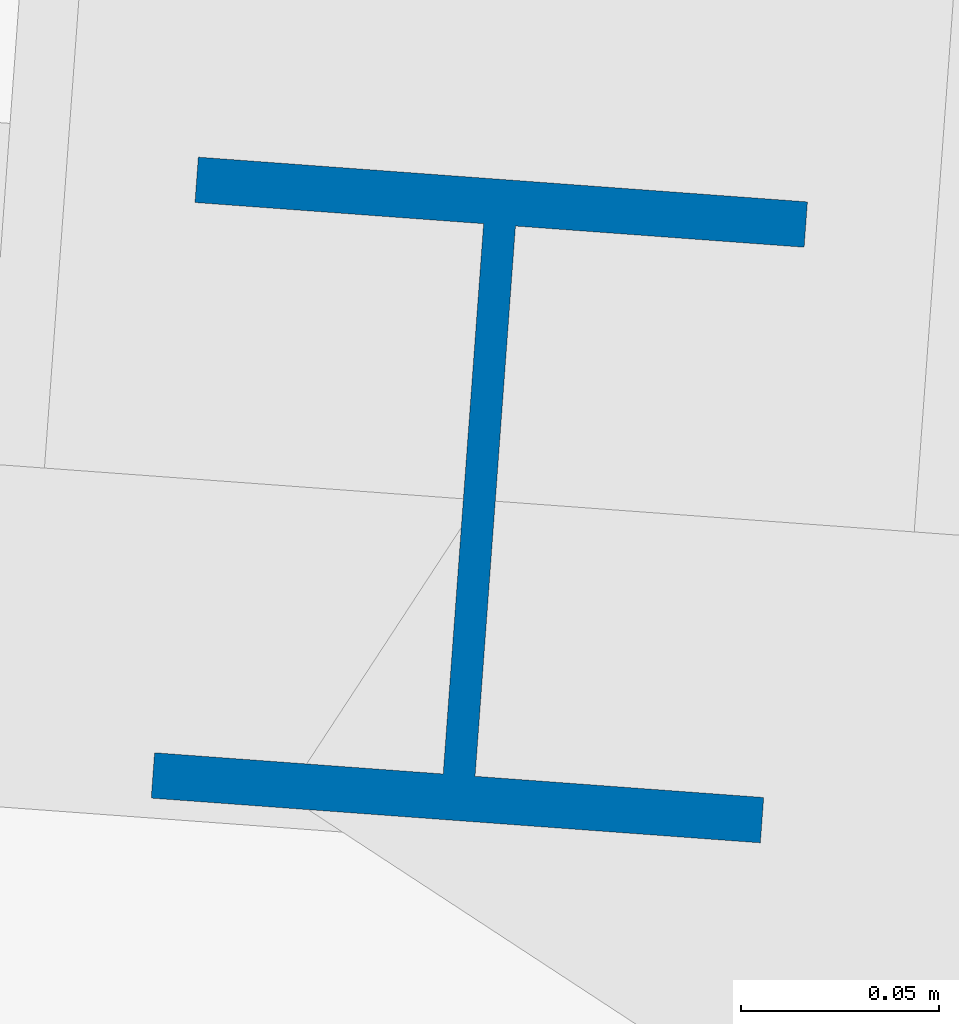
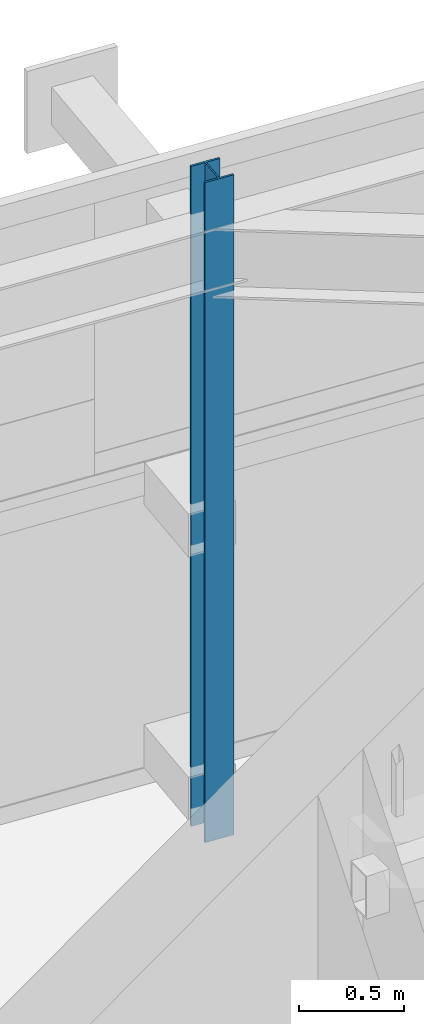
# One storey, part 8 of 35: 1 column.
"""IFC4 building model written with IfcOpenShell, lengths in metres."""

from ifc_helpers import new_model, si_unit, direction, frame, origin, origin_2d, place, context, subcontext, project, spatial, i_section, extrude, source, transform, mapped, material, material_profile, profile_set, type_object, element, save


model = new_model("IFC4")

# Units and contexts
model_context = context("Model", 3, precision=1e-05, world=origin(), true_north=direction((0.0, 1.0)))
body_context = subcontext(model_context, "Body", "Model", "MODEL_VIEW")
ifc_project = project(units=[si_unit("LENGTHUNIT", "METRE"), si_unit("AREAUNIT", "SQUARE_METRE"), si_unit("VOLUMEUNIT", "CUBIC_METRE"), si_unit("PLANEANGLEUNIT", "RADIAN"), si_unit("MASSUNIT", "GRAM", prefix="KILO")], contexts=[model_context])

# Site, building, storey
site_placement = place(None, origin())
site = spatial("IfcSite", under=ifc_project, at=site_placement, CompositionType="ELEMENT")
building_placement = place(site_placement, origin())
building = spatial("IfcBuilding", under=site, at=building_placement, Name="Taldren Reach Tower", CompositionType="ELEMENT")
storey_placement = place(building_placement, frame((0.0, 0.0, 249.199951171875)))
storey = spatial("IfcBuildingStorey", under=building, at=storey_placement, Name="L76", CompositionType="ELEMENT", Elevation=249.199951171875)

# Column
ifc_material = material(Name="Steel Gr 350 (350PLUS)", Category="steel")
ifc_material_profile = material_profile(ifc_material, i_section(OverallWidth=0.154052734375, OverallDepth=0.162109375, WebThickness=0.008056640625, FlangeThickness=0.011474609375, at=origin_2d()), Name="150UC37.2")
ifc_profile_set = profile_set([ifc_material_profile], Name="Steel Gr 350 (350PLUS)")
column_type = type_object("IfcColumnType", Name="COL-UC150", PredefinedType="COLUMN", material=ifc_profile_set)
shared_shape = source(origin(), body_context, "Body", "SweptSolid", [
    extrude(i_section(OverallWidth=0.154052734375, OverallDepth=0.162109375, WebThickness=0.008056640625, FlangeThickness=0.011474609375, at=origin_2d()), origin(), (0.0, 0.0, 1.0), 3.85009765625),
])
column_placement = place(storey_placement, frame((47.199462890625, 34.487548828125, 0.0), z_axis=(0.0, 0.0, 1.0), x_axis=(0.997314477224, -0.073238197128, 0.0)))
element("IfcColumn", 1, at=column_placement, inside=storey, type_object=column_type, Name="Block B5 perimeter column N5 L76", PredefinedType="COLUMN", context=body_context, shape_type="MappedRepresentation", body=[
    mapped(shared_shape, transform((0.0, 0.0, 0.0), scale=1.0)),
])

save(model, "model.ifc")
